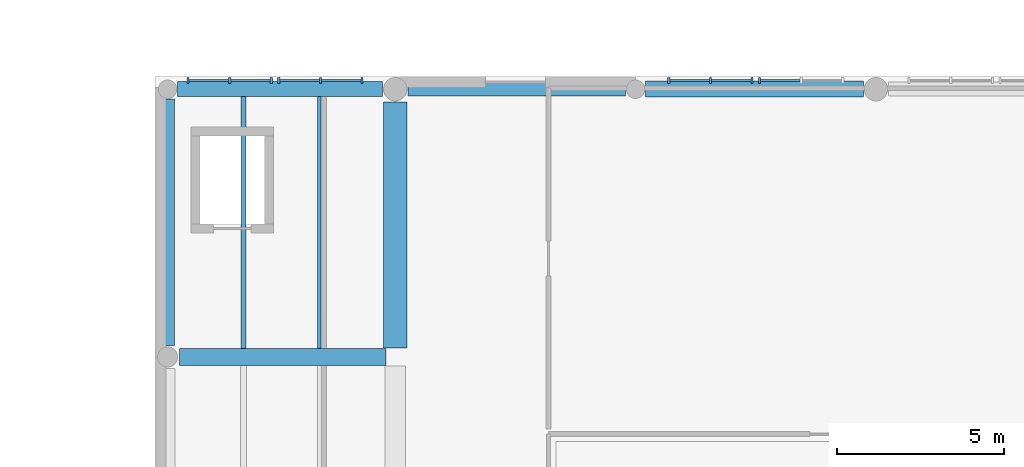
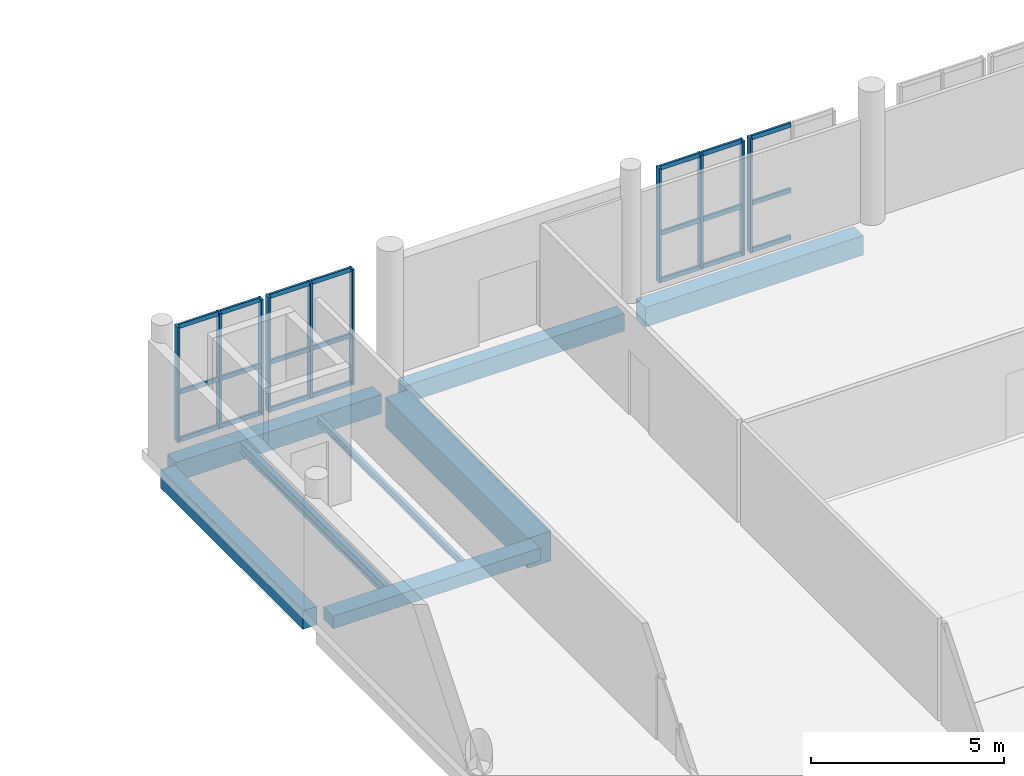
# One storey, part 22 of 77: 31 members, 8 beams, 4 elements without a shape of their own.
"""IFC4 building model written with IfcOpenShell, lengths in metres."""

from ifc_helpers import new_model, si_unit, direction, frame, origin, origin_2d, place, context, subcontext, project, spatial, rectangle, i_section, extrude, material, layer, layer_set, material_profile, profile_set, type_object, element, aggregate, save


model = new_model("IFC4")

# Units and contexts
model_context = context("Model", 3, precision=1e-05, world=origin(), true_north=direction((0.0, 1.0)))
body_context = subcontext(model_context, "Body", "Model", "MODEL_VIEW")
ifc_project = project(units=[si_unit("LENGTHUNIT", "METRE"), si_unit("AREAUNIT", "SQUARE_METRE"), si_unit("VOLUMEUNIT", "CUBIC_METRE"), si_unit("PLANEANGLEUNIT", "RADIAN"), si_unit("MASSUNIT", "GRAM", prefix="KILO")], contexts=[model_context])

# Site, building, storey
site_placement = place(None, origin())
site = spatial("IfcSite", under=ifc_project, at=site_placement, CompositionType="ELEMENT")
building_placement = place(site_placement, origin())
building = spatial("IfcBuilding", under=site, at=building_placement, Name="Vardoun Plaza Health Centre", CompositionType="ELEMENT")
storey_placement = place(building_placement, origin())
storey = spatial("IfcBuildingStorey", under=building, at=storey_placement, Name="L00", CompositionType="ELEMENT", Elevation=0.0)

# Beams
ifc_material_1 = material(Name="Concrete C35/45", Category="concrete")
ifc_material_profile_1 = material_profile(ifc_material_1, rectangle(XDim=0.39990234375, YDim=0.550048828125, at=origin_2d()), Name="RC-BM 400x550")
ifc_profile_set_1 = profile_set([ifc_material_profile_1], Name="Concrete C35/45")
beam_type_1 = type_object("IfcBeamType", Name="B-09", PredefinedType="SPANDREL", material=ifc_profile_set_1)
beam_1_placement = place(storey_placement, frame((55.455078125, 77.919921875, -0.554931640625), z_axis=(1.0, 0.0, 0.0), x_axis=(0.0, 1.0, 0.0)))
element("IfcBeam", 1, at=beam_1_placement, inside=storey, type_object=beam_type_1, Name="V1 L00 Beam B-V1-L00-X08", PredefinedType="SPANDREL", context=body_context, shape_type="SweptSolid", body=[
    extrude(rectangle(XDim=0.39990234375, YDim=0.550048828125, at=origin_2d()), origin(), (0.0, 0.0, 1.0), 6.52490234375),
])
ifc_material_2 = material(Name="Concrete C35/45", Category="concrete")
ifc_material_profile_2 = material_profile(ifc_material_2, rectangle(XDim=0.419921875, YDim=0.580078125, at=origin_2d()), Name="RC-BM 420x580")
ifc_profile_set_2 = profile_set([ifc_material_profile_2], Name="Concrete C35/45")
beam_type_2 = type_object("IfcBeamType", Name="B-10", PredefinedType="SPANDREL", material=ifc_profile_set_2)
beam_2_placement = place(storey_placement, frame((48.260009765625, 70.25, -0.570068359375), z_axis=(0.0, 1.0, 0.0), x_axis=(-1.0, 0.0, 0.0)))
element("IfcBeam", 2, at=beam_2_placement, inside=storey, type_object=beam_type_2, Name="V1 L00 Beam B-V1-L00-Y17", PredefinedType="SPANDREL", context=body_context, shape_type="SweptSolid", body=[
    extrude(rectangle(XDim=0.419921875, YDim=0.580078125, at=origin_2d()), origin(), (0.0, 0.0, 1.0), 7.3701171875),
])
ifc_material_3 = material(Name="Concrete C35/45", Category="concrete")
ifc_material_profile_3 = material_profile(ifc_material_3, rectangle(XDim=0.449951171875, YDim=0.60009765625, at=origin_2d()), Name="RC-BM 450x600")
ifc_profile_set_3 = profile_set([ifc_material_profile_3], Name="Concrete C35/45")
beam_type_3 = type_object("IfcBeamType", Name="B-11", PredefinedType="SPANDREL", material=ifc_profile_set_3)
beam_3_placement = place(storey_placement, frame((48.56005859375, 77.919921875, -0.580078125), z_axis=(1.0, 0.0, 0.0), x_axis=(0.0, 1.0, 0.0)))
element("IfcBeam", 3, at=beam_3_placement, inside=storey, type_object=beam_type_3, Name="V1 L00 Beam B-V1-L00-X06", PredefinedType="SPANDREL", context=body_context, shape_type="SweptSolid", body=[
    extrude(rectangle(XDim=0.449951171875, YDim=0.60009765625, at=origin_2d()), origin(), (0.0, 0.0, 1.0), 6.14501953125),
])
ifc_material_4 = material(Name="Concrete C35/45", Category="concrete")
ifc_material_profile_4 = material_profile(ifc_material_4, rectangle(XDim=0.47998046875, YDim=0.6201171875, at=origin_2d()), Name="RC-BM 480x620")
ifc_profile_set_4 = profile_set([ifc_material_profile_4], Name="Concrete C35/45")
beam_type_4 = type_object("IfcBeamType", Name="B-12", PredefinedType="SPANDREL", material=ifc_profile_set_4)
beam_4_placement = place(storey_placement, frame((62.580078125, 77.919921875, -0.590087890625), z_axis=(1.0, 0.0, 0.0), x_axis=(0.0, 1.0, 0.0)))
element("IfcBeam", 4, at=beam_4_placement, inside=storey, type_object=beam_type_4, Name="V1 L00 Beam B-V1-L00-X10", PredefinedType="SPANDREL", context=body_context, shape_type="SweptSolid", body=[
    extrude(rectangle(XDim=0.47998046875, YDim=0.6201171875, at=origin_2d()), origin(), (0.0, 0.0, 1.0), 6.52490234375),
])
ifc_material_5 = material(Name="Concrete C35/45", Category="concrete")
ifc_material_profile_5 = material_profile(ifc_material_5, rectangle(XDim=0.5, YDim=0.39990234375, at=origin_2d()), Name="RC-BM 500x400")
ifc_profile_set_5 = profile_set([ifc_material_profile_5], Name="Concrete C35/45")
beam_type_5 = type_object("IfcBeamType", Name="B-02", PredefinedType="BEAM", material=ifc_profile_set_5)
beam_5_placement = place(storey_placement, frame((48.610107421875, 69.900146484375, -0.47998046875), z_axis=(1.0, 0.0, 0.0), x_axis=(0.0, 1.0, 0.0)))
element("IfcBeam", 5, at=beam_5_placement, inside=storey, type_object=beam_type_5, Name="V1 L00 Beam B-V1-L00-X05", PredefinedType="BEAM", context=body_context, shape_type="SweptSolid", body=[
    extrude(rectangle(XDim=0.5, YDim=0.39990234375, at=origin_2d()), origin(), (0.0, 0.0, 1.0), 6.19482421875),
])
ifc_material_6 = material(Name="Concrete C40/50", Category="concrete")
ifc_material_profile_6 = material_profile(ifc_material_6, rectangle(XDim=0.699951171875, YDim=0.949951171875, at=origin_2d()), Name="RC-BM 700x950")
ifc_profile_set_6 = profile_set([ifc_material_profile_6], Name="Concrete C40/50")
beam_type_6 = type_object("IfcBeamType", Name="B-16", PredefinedType="LINTEL", material=ifc_profile_set_6)
beam_6_placement = place(storey_placement, frame((55.080078125, 70.175048828125, -0.7548828125), z_axis=(0.0, 1.0, 0.0), x_axis=(-1.0, 0.0, 0.0)))
element("IfcBeam", 6, at=beam_6_placement, inside=storey, type_object=beam_type_6, Name="V1 L00 Beam B-V1-L00-Y21", PredefinedType="LINTEL", context=body_context, shape_type="SweptSolid", body=[
    extrude(rectangle(XDim=0.699951171875, YDim=0.949951171875, at=origin_2d()), origin(), (0.0, 0.0, 1.0), 7.369873046875),
])
ifc_material_7 = material(Name="Steel S355J2", Category="steel")
ifc_material_profile_7 = material_profile(ifc_material_7, i_section(OverallWidth=0.110107421875, OverallDepth=0.219970703125, WebThickness=0.005859375, FlangeThickness=0.00927734375, FilletRadius=0.011962890625, at=origin_2d()), Name="IPE 220")
ifc_profile_set_7 = profile_set([ifc_material_profile_7], Name="Steel S355J2")
beam_type_7 = type_object("IfcBeamType", Name="SB-18", PredefinedType="JOIST", material=ifc_profile_set_7)
beam_7_placement = place(storey_placement, frame((52.806884765625, 70.150146484375, -0.389892578125), z_axis=(0.0, 1.0, 0.0), x_axis=(-1.0, 0.0, 0.0)))
element("IfcBeam", 7, at=beam_7_placement, inside=storey, type_object=beam_type_7, Name="V1 L00 Secondary Floor Beam SJ-V1-L00-08", PredefinedType="JOIST", context=body_context, shape_type="SweptSolid", body=[
    extrude(i_section(OverallWidth=0.110107421875, OverallDepth=0.219970703125, WebThickness=0.005859375, FlangeThickness=0.00927734375, FilletRadius=0.011962890625, at=origin_2d()), origin(), (0.0, 0.0, 1.0), 7.544921875),
])
ifc_material_8 = material(Name="Steel S355J2", Category="steel")
ifc_material_profile_8 = material_profile(ifc_material_8, i_section(OverallWidth=0.159912109375, OverallDepth=0.330078125, WebThickness=0.007568359375, FlangeThickness=0.011474609375, FilletRadius=0.01806640625, at=origin_2d()), Name="IPE 330")
ifc_profile_set_8 = profile_set([ifc_material_profile_8], Name="Steel S355J2")
beam_type_8 = type_object("IfcBeamType", Name="SB-14", PredefinedType="JOIST", material=ifc_profile_set_8)
beam_8_placement = place(storey_placement, frame((50.533203125, 70.150146484375, -0.445068359375), z_axis=(0.0, 1.0, 0.0), x_axis=(-1.0, 0.0, 0.0)))
element("IfcBeam", 8, at=beam_8_placement, inside=storey, type_object=beam_type_8, Name="V1 L00 Secondary Floor Beam SJ-V1-L00-04", PredefinedType="JOIST", context=body_context, shape_type="SweptSolid", body=[
    extrude(i_section(OverallWidth=0.159912109375, OverallDepth=0.330078125, WebThickness=0.007568359375, FlangeThickness=0.011474609375, FilletRadius=0.01806640625, at=origin_2d()), origin(), (0.0, 0.0, 1.0), 7.544921875),
])

# Curtain wall, members
ifc_material_9 = material(Name="Aluminium Alloy EN AW-6063-T6 and Low-E Glass", Category="aluminium")
ifc_layer = layer(ifc_material_9, 0.179931640625)
ifc_layer_set = layer_set([ifc_layer], Name="Aluminium Alloy EN AW-6063-T6 and Low-E Glass")
curtain_wall_type = type_object("IfcCurtainWallType", Name="CW-01", PredefinedType="USERDEFINED", material=ifc_layer_set)
curtain_wall_1_placement = place(storey_placement, origin())
curtain_wall_1 = element("IfcCurtainWall", 9, at=curtain_wall_1_placement, inside=storey, type_object=curtain_wall_type, Name="Curtain Wall CW-V1-001", ObjectType="CONCOURSE_CURTAIN_WALL", PredefinedType="USERDEFINED")
ifc_material_10 = material(Name="Aluminium Alloy EN AW-6063-T6", Category="aluminium")
ifc_material_profile_9 = material_profile(ifc_material_10, rectangle(XDim=0.179931640625, YDim=0.06494140625, at=origin_2d()), Name="CWM 65x180")
ifc_profile_set_9 = profile_set([ifc_material_profile_9], Name="Aluminium Alloy EN AW-6063-T6")
member_type_1 = type_object("IfcMemberType", Name="CW-M2", PredefinedType="MULLION", material=ifc_profile_set_9)
member_1_placement = place(storey_placement, frame((48.87255859375, 78.179931640625, 0.0), z_axis=(0.0, 0.0, 1.0), x_axis=(0.0, 1.0, 0.0)))
member_1 = element("IfcMember", 10, at=member_1_placement, type_object=member_type_1, Name="CW-V1-001 mullion 1", PredefinedType="MULLION", context=body_context, shape_type="SweptSolid", body=[
    extrude(rectangle(XDim=0.179931640625, YDim=0.06494140625, at=origin_2d()), origin(), (0.0, 0.0, 1.0), 3.655029296875),
])
member_2_placement = place(storey_placement, frame((50.1201171875, 78.179931640625, 0.0), z_axis=(0.0, 0.0, 1.0), x_axis=(0.0, 1.0, 0.0)))
member_2 = element("IfcMember", 11, at=member_2_placement, type_object=member_type_1, Name="CW-V1-001 mullion 2", PredefinedType="MULLION", context=body_context, shape_type="SweptSolid", body=[
    extrude(rectangle(XDim=0.179931640625, YDim=0.06494140625, at=origin_2d()), origin(), (0.0, 0.0, 1.0), 3.655029296875),
])
member_3_placement = place(storey_placement, frame((51.367431640625, 78.179931640625, 0.0), z_axis=(0.0, 0.0, 1.0), x_axis=(0.0, 1.0, 0.0)))
member_3 = element("IfcMember", 12, at=member_3_placement, type_object=member_type_1, Name="CW-V1-001 mullion 3", PredefinedType="MULLION", context=body_context, shape_type="SweptSolid", body=[
    extrude(rectangle(XDim=0.179931640625, YDim=0.06494140625, at=origin_2d()), origin(), (0.0, 0.0, 1.0), 3.655029296875),
])

curtain_wall_2_placement = place(storey_placement, origin())
curtain_wall_2 = element("IfcCurtainWall", 13, at=curtain_wall_2_placement, inside=storey, type_object=curtain_wall_type, Name="Curtain Wall CW-V1-002", ObjectType="CONCOURSE_CURTAIN_WALL", PredefinedType="USERDEFINED")
member_4_placement = place(storey_placement, frame((51.592529296875, 78.179931640625, 0.0), z_axis=(0.0, 0.0, 1.0), x_axis=(0.0, 1.0, 0.0)))
member_4 = element("IfcMember", 14, at=member_4_placement, type_object=member_type_1, Name="CW-V1-002 mullion 1", PredefinedType="MULLION", context=body_context, shape_type="SweptSolid", body=[
    extrude(rectangle(XDim=0.179931640625, YDim=0.06494140625, at=origin_2d()), origin(), (0.0, 0.0, 1.0), 3.655029296875),
])
member_5_placement = place(storey_placement, frame((52.840087890625, 78.179931640625, 0.0), z_axis=(0.0, 0.0, 1.0), x_axis=(0.0, 1.0, 0.0)))
member_5 = element("IfcMember", 15, at=member_5_placement, type_object=member_type_1, Name="CW-V1-002 mullion 2", PredefinedType="MULLION", context=body_context, shape_type="SweptSolid", body=[
    extrude(rectangle(XDim=0.179931640625, YDim=0.06494140625, at=origin_2d()), origin(), (0.0, 0.0, 1.0), 3.655029296875),
])
member_6_placement = place(storey_placement, frame((54.087646484375, 78.179931640625, 0.0), z_axis=(0.0, 0.0, 1.0), x_axis=(0.0, 1.0, 0.0)))
member_6 = element("IfcMember", 16, at=member_6_placement, type_object=member_type_1, Name="CW-V1-002 mullion 3", PredefinedType="MULLION", context=body_context, shape_type="SweptSolid", body=[
    extrude(rectangle(XDim=0.179931640625, YDim=0.06494140625, at=origin_2d()), origin(), (0.0, 0.0, 1.0), 3.655029296875),
])

curtain_wall_3_placement = place(storey_placement, origin())
curtain_wall_3 = element("IfcCurtainWall", 17, at=curtain_wall_3_placement, inside=storey, type_object=curtain_wall_type, Name="Curtain Wall CW-V1-003", ObjectType="CONCOURSE_CURTAIN_WALL", PredefinedType="USERDEFINED")
member_7_placement = place(storey_placement, frame((63.2724609375, 78.179931640625, 0.0), z_axis=(0.0, 0.0, 1.0), x_axis=(0.0, 1.0, 0.0)))
member_7 = element("IfcMember", 18, at=member_7_placement, type_object=member_type_1, Name="CW-V1-003 mullion 1", PredefinedType="MULLION", context=body_context, shape_type="SweptSolid", body=[
    extrude(rectangle(XDim=0.179931640625, YDim=0.06494140625, at=origin_2d()), origin(), (0.0, 0.0, 1.0), 3.625),
])
member_8_placement = place(storey_placement, frame((64.52001953125, 78.179931640625, 0.0), z_axis=(0.0, 0.0, 1.0), x_axis=(0.0, 1.0, 0.0)))
member_8 = element("IfcMember", 19, at=member_8_placement, type_object=member_type_1, Name="CW-V1-003 mullion 2", PredefinedType="MULLION", context=body_context, shape_type="SweptSolid", body=[
    extrude(rectangle(XDim=0.179931640625, YDim=0.06494140625, at=origin_2d()), origin(), (0.0, 0.0, 1.0), 3.625),
])
member_9_placement = place(storey_placement, frame((65.767578125, 78.179931640625, 0.0), z_axis=(0.0, 0.0, 1.0), x_axis=(0.0, 1.0, 0.0)))
member_9 = element("IfcMember", 20, at=member_9_placement, type_object=member_type_1, Name="CW-V1-003 mullion 3", PredefinedType="MULLION", context=body_context, shape_type="SweptSolid", body=[
    extrude(rectangle(XDim=0.179931640625, YDim=0.06494140625, at=origin_2d()), origin(), (0.0, 0.0, 1.0), 3.625),
])

# Curtain wall, member
curtain_wall_4_placement = place(storey_placement, origin())
curtain_wall_4 = element("IfcCurtainWall", 21, at=curtain_wall_4_placement, inside=storey, type_object=curtain_wall_type, Name="Curtain Wall CW-V1-004", ObjectType="CONCOURSE_CURTAIN_WALL", PredefinedType="USERDEFINED")
member_10_placement = place(storey_placement, frame((65.992431640625, 78.179931640625, 0.0), z_axis=(0.0, 0.0, 1.0), x_axis=(0.0, 1.0, 0.0)))
member_10 = element("IfcMember", 22, at=member_10_placement, type_object=member_type_1, Name="CW-V1-004 mullion 1", PredefinedType="MULLION", context=body_context, shape_type="SweptSolid", body=[
    extrude(rectangle(XDim=0.179931640625, YDim=0.06494140625, at=origin_2d()), origin(), (0.0, 0.0, 1.0), 3.625),
])

# Member
ifc_material_11 = material(Name="Aluminium Alloy EN AW-6063-T6", Category="aluminium")
ifc_material_profile_10 = material_profile(ifc_material_11, rectangle(XDim=0.06494140625, YDim=0.139892578125, at=origin_2d()), Name="CWT 65x140")
ifc_profile_set_10 = profile_set([ifc_material_profile_10], Name="Aluminium Alloy EN AW-6063-T6")
member_type_2 = type_object("IfcMemberType", Name="CW-T2", PredefinedType="USERDEFINED", material=ifc_profile_set_10)
member_11_placement = place(storey_placement, frame((48.905029296875, 78.179931640625, 0.032470703125), z_axis=(1.0, 0.0, 0.0), x_axis=(0.0, 1.0, 0.0)))
member_11 = element("IfcMember", 23, at=member_11_placement, type_object=member_type_2, Name="CW-V1-001 transom 1.1", ObjectType="TRANSOM", PredefinedType="USERDEFINED", context=body_context, shape_type="SweptSolid", body=[
    extrude(rectangle(XDim=0.06494140625, YDim=0.139892578125, at=origin_2d()), origin(), (0.0, 0.0, 1.0), 1.1826171875),
])

member_12_placement = place(storey_placement, frame((48.905029296875, 78.179931640625, 1.53515625), z_axis=(1.0, 0.0, 0.0), x_axis=(0.0, 1.0, 0.0)))
member_12 = element("IfcMember", 24, at=member_12_placement, type_object=member_type_2, Name="CW-V1-001 transom 1.2", ObjectType="TRANSOM", PredefinedType="USERDEFINED", context=body_context, shape_type="SweptSolid", body=[
    extrude(rectangle(XDim=0.06494140625, YDim=0.139892578125, at=origin_2d()), origin(), (0.0, 0.0, 1.0), 1.1826171875),
])

member_13_placement = place(storey_placement, frame((48.905029296875, 78.179931640625, 3.62255859375), z_axis=(1.0, 0.0, 0.0), x_axis=(0.0, 1.0, 0.0)))
member_13 = element("IfcMember", 25, at=member_13_placement, type_object=member_type_2, Name="CW-V1-001 transom 1.3", ObjectType="TRANSOM", PredefinedType="USERDEFINED", context=body_context, shape_type="SweptSolid", body=[
    extrude(rectangle(XDim=0.06494140625, YDim=0.139892578125, at=origin_2d()), origin(), (0.0, 0.0, 1.0), 1.1826171875),
])

member_14_placement = place(storey_placement, frame((50.152587890625, 78.179931640625, 0.032470703125), z_axis=(1.0, 0.0, 0.0), x_axis=(0.0, 1.0, 0.0)))
member_14 = element("IfcMember", 26, at=member_14_placement, type_object=member_type_2, Name="CW-V1-001 transom 2.1", ObjectType="TRANSOM", PredefinedType="USERDEFINED", context=body_context, shape_type="SweptSolid", body=[
    extrude(rectangle(XDim=0.06494140625, YDim=0.139892578125, at=origin_2d()), origin(), (0.0, 0.0, 1.0), 1.182373046875),
])

member_15_placement = place(storey_placement, frame((50.152587890625, 78.179931640625, 1.53515625), z_axis=(1.0, 0.0, 0.0), x_axis=(0.0, 1.0, 0.0)))
member_15 = element("IfcMember", 27, at=member_15_placement, type_object=member_type_2, Name="CW-V1-001 transom 2.2", ObjectType="TRANSOM", PredefinedType="USERDEFINED", context=body_context, shape_type="SweptSolid", body=[
    extrude(rectangle(XDim=0.06494140625, YDim=0.139892578125, at=origin_2d()), origin(), (0.0, 0.0, 1.0), 1.182373046875),
])

member_16_placement = place(storey_placement, frame((50.152587890625, 78.179931640625, 3.62255859375), z_axis=(1.0, 0.0, 0.0), x_axis=(0.0, 1.0, 0.0)))
member_16 = element("IfcMember", 28, at=member_16_placement, type_object=member_type_2, Name="CW-V1-001 transom 2.3", ObjectType="TRANSOM", PredefinedType="USERDEFINED", context=body_context, shape_type="SweptSolid", body=[
    extrude(rectangle(XDim=0.06494140625, YDim=0.139892578125, at=origin_2d()), origin(), (0.0, 0.0, 1.0), 1.182373046875),
])

aggregate(curtain_wall_1, [member_1, member_2, member_3, member_11, member_12, member_13, member_14, member_15, member_16])

member_17_placement = place(storey_placement, frame((51.625, 78.179931640625, 0.032470703125), z_axis=(1.0, 0.0, 0.0), x_axis=(0.0, 1.0, 0.0)))
member_17 = element("IfcMember", 29, at=member_17_placement, type_object=member_type_2, Name="CW-V1-002 transom 1.1", ObjectType="TRANSOM", PredefinedType="USERDEFINED", context=body_context, shape_type="SweptSolid", body=[
    extrude(rectangle(XDim=0.06494140625, YDim=0.139892578125, at=origin_2d()), origin(), (0.0, 0.0, 1.0), 1.1826171875),
])

member_18_placement = place(storey_placement, frame((51.625, 78.179931640625, 1.53515625), z_axis=(1.0, 0.0, 0.0), x_axis=(0.0, 1.0, 0.0)))
member_18 = element("IfcMember", 30, at=member_18_placement, type_object=member_type_2, Name="CW-V1-002 transom 1.2", ObjectType="TRANSOM", PredefinedType="USERDEFINED", context=body_context, shape_type="SweptSolid", body=[
    extrude(rectangle(XDim=0.06494140625, YDim=0.139892578125, at=origin_2d()), origin(), (0.0, 0.0, 1.0), 1.1826171875),
])

member_19_placement = place(storey_placement, frame((51.625, 78.179931640625, 3.62255859375), z_axis=(1.0, 0.0, 0.0), x_axis=(0.0, 1.0, 0.0)))
member_19 = element("IfcMember", 31, at=member_19_placement, type_object=member_type_2, Name="CW-V1-002 transom 1.3", ObjectType="TRANSOM", PredefinedType="USERDEFINED", context=body_context, shape_type="SweptSolid", body=[
    extrude(rectangle(XDim=0.06494140625, YDim=0.139892578125, at=origin_2d()), origin(), (0.0, 0.0, 1.0), 1.1826171875),
])

member_20_placement = place(storey_placement, frame((52.87255859375, 78.179931640625, 0.032470703125), z_axis=(1.0, 0.0, 0.0), x_axis=(0.0, 1.0, 0.0)))
member_20 = element("IfcMember", 32, at=member_20_placement, type_object=member_type_2, Name="CW-V1-002 transom 2.1", ObjectType="TRANSOM", PredefinedType="USERDEFINED", context=body_context, shape_type="SweptSolid", body=[
    extrude(rectangle(XDim=0.06494140625, YDim=0.139892578125, at=origin_2d()), origin(), (0.0, 0.0, 1.0), 1.182373046875),
])

member_21_placement = place(storey_placement, frame((52.87255859375, 78.179931640625, 1.53515625), z_axis=(1.0, 0.0, 0.0), x_axis=(0.0, 1.0, 0.0)))
member_21 = element("IfcMember", 33, at=member_21_placement, type_object=member_type_2, Name="CW-V1-002 transom 2.2", ObjectType="TRANSOM", PredefinedType="USERDEFINED", context=body_context, shape_type="SweptSolid", body=[
    extrude(rectangle(XDim=0.06494140625, YDim=0.139892578125, at=origin_2d()), origin(), (0.0, 0.0, 1.0), 1.182373046875),
])

member_22_placement = place(storey_placement, frame((52.87255859375, 78.179931640625, 3.62255859375), z_axis=(1.0, 0.0, 0.0), x_axis=(0.0, 1.0, 0.0)))
member_22 = element("IfcMember", 34, at=member_22_placement, type_object=member_type_2, Name="CW-V1-002 transom 2.3", ObjectType="TRANSOM", PredefinedType="USERDEFINED", context=body_context, shape_type="SweptSolid", body=[
    extrude(rectangle(XDim=0.06494140625, YDim=0.139892578125, at=origin_2d()), origin(), (0.0, 0.0, 1.0), 1.182373046875),
])

aggregate(curtain_wall_2, [member_4, member_5, member_6, member_17, member_18, member_19, member_20, member_21, member_22])

member_23_placement = place(storey_placement, frame((63.304931640625, 78.179931640625, 0.032470703125), z_axis=(1.0, 0.0, 0.0), x_axis=(0.0, 1.0, 0.0)))
member_23 = element("IfcMember", 35, at=member_23_placement, type_object=member_type_2, Name="CW-V1-003 transom 1.1", ObjectType="TRANSOM", PredefinedType="USERDEFINED", context=body_context, shape_type="SweptSolid", body=[
    extrude(rectangle(XDim=0.06494140625, YDim=0.139892578125, at=origin_2d()), origin(), (0.0, 0.0, 1.0), 1.1826171875),
])

member_24_placement = place(storey_placement, frame((63.304931640625, 78.179931640625, 1.5224609375), z_axis=(1.0, 0.0, 0.0), x_axis=(0.0, 1.0, 0.0)))
member_24 = element("IfcMember", 36, at=member_24_placement, type_object=member_type_2, Name="CW-V1-003 transom 1.2", ObjectType="TRANSOM", PredefinedType="USERDEFINED", context=body_context, shape_type="SweptSolid", body=[
    extrude(rectangle(XDim=0.06494140625, YDim=0.139892578125, at=origin_2d()), origin(), (0.0, 0.0, 1.0), 1.1826171875),
])

member_25_placement = place(storey_placement, frame((63.304931640625, 78.179931640625, 3.592529296875), z_axis=(1.0, 0.0, 0.0), x_axis=(0.0, 1.0, 0.0)))
member_25 = element("IfcMember", 37, at=member_25_placement, type_object=member_type_2, Name="CW-V1-003 transom 1.3", ObjectType="TRANSOM", PredefinedType="USERDEFINED", context=body_context, shape_type="SweptSolid", body=[
    extrude(rectangle(XDim=0.06494140625, YDim=0.139892578125, at=origin_2d()), origin(), (0.0, 0.0, 1.0), 1.1826171875),
])

member_26_placement = place(storey_placement, frame((64.552490234375, 78.179931640625, 0.032470703125), z_axis=(1.0, 0.0, 0.0), x_axis=(0.0, 1.0, 0.0)))
member_26 = element("IfcMember", 38, at=member_26_placement, type_object=member_type_2, Name="CW-V1-003 transom 2.1", ObjectType="TRANSOM", PredefinedType="USERDEFINED", context=body_context, shape_type="SweptSolid", body=[
    extrude(rectangle(XDim=0.06494140625, YDim=0.139892578125, at=origin_2d()), origin(), (0.0, 0.0, 1.0), 1.1826171875),
])

member_27_placement = place(storey_placement, frame((64.552490234375, 78.179931640625, 1.5224609375), z_axis=(1.0, 0.0, 0.0), x_axis=(0.0, 1.0, 0.0)))
member_27 = element("IfcMember", 39, at=member_27_placement, type_object=member_type_2, Name="CW-V1-003 transom 2.2", ObjectType="TRANSOM", PredefinedType="USERDEFINED", context=body_context, shape_type="SweptSolid", body=[
    extrude(rectangle(XDim=0.06494140625, YDim=0.139892578125, at=origin_2d()), origin(), (0.0, 0.0, 1.0), 1.1826171875),
])

member_28_placement = place(storey_placement, frame((64.552490234375, 78.179931640625, 3.592529296875), z_axis=(1.0, 0.0, 0.0), x_axis=(0.0, 1.0, 0.0)))
member_28 = element("IfcMember", 40, at=member_28_placement, type_object=member_type_2, Name="CW-V1-003 transom 2.3", ObjectType="TRANSOM", PredefinedType="USERDEFINED", context=body_context, shape_type="SweptSolid", body=[
    extrude(rectangle(XDim=0.06494140625, YDim=0.139892578125, at=origin_2d()), origin(), (0.0, 0.0, 1.0), 1.1826171875),
])

aggregate(curtain_wall_3, [member_7, member_8, member_9, member_23, member_24, member_25, member_26, member_27, member_28])

member_29_placement = place(storey_placement, frame((66.025146484375, 78.179931640625, 0.032470703125), z_axis=(1.0, 0.0, 0.0), x_axis=(0.0, 1.0, 0.0)))
member_29 = element("IfcMember", 41, at=member_29_placement, type_object=member_type_2, Name="CW-V1-004 transom 1.1", ObjectType="TRANSOM", PredefinedType="USERDEFINED", context=body_context, shape_type="SweptSolid", body=[
    extrude(rectangle(XDim=0.06494140625, YDim=0.139892578125, at=origin_2d()), origin(), (0.0, 0.0, 1.0), 1.182373046875),
])

member_30_placement = place(storey_placement, frame((66.025146484375, 78.179931640625, 1.5224609375), z_axis=(1.0, 0.0, 0.0), x_axis=(0.0, 1.0, 0.0)))
member_30 = element("IfcMember", 42, at=member_30_placement, type_object=member_type_2, Name="CW-V1-004 transom 1.2", ObjectType="TRANSOM", PredefinedType="USERDEFINED", context=body_context, shape_type="SweptSolid", body=[
    extrude(rectangle(XDim=0.06494140625, YDim=0.139892578125, at=origin_2d()), origin(), (0.0, 0.0, 1.0), 1.182373046875),
])

member_31_placement = place(storey_placement, frame((66.025146484375, 78.179931640625, 3.592529296875), z_axis=(1.0, 0.0, 0.0), x_axis=(0.0, 1.0, 0.0)))
member_31 = element("IfcMember", 43, at=member_31_placement, type_object=member_type_2, Name="CW-V1-004 transom 1.3", ObjectType="TRANSOM", PredefinedType="USERDEFINED", context=body_context, shape_type="SweptSolid", body=[
    extrude(rectangle(XDim=0.06494140625, YDim=0.139892578125, at=origin_2d()), origin(), (0.0, 0.0, 1.0), 1.182373046875),
])

aggregate(curtain_wall_4, [member_10, member_29, member_30, member_31])

save(model, "model.ifc")
